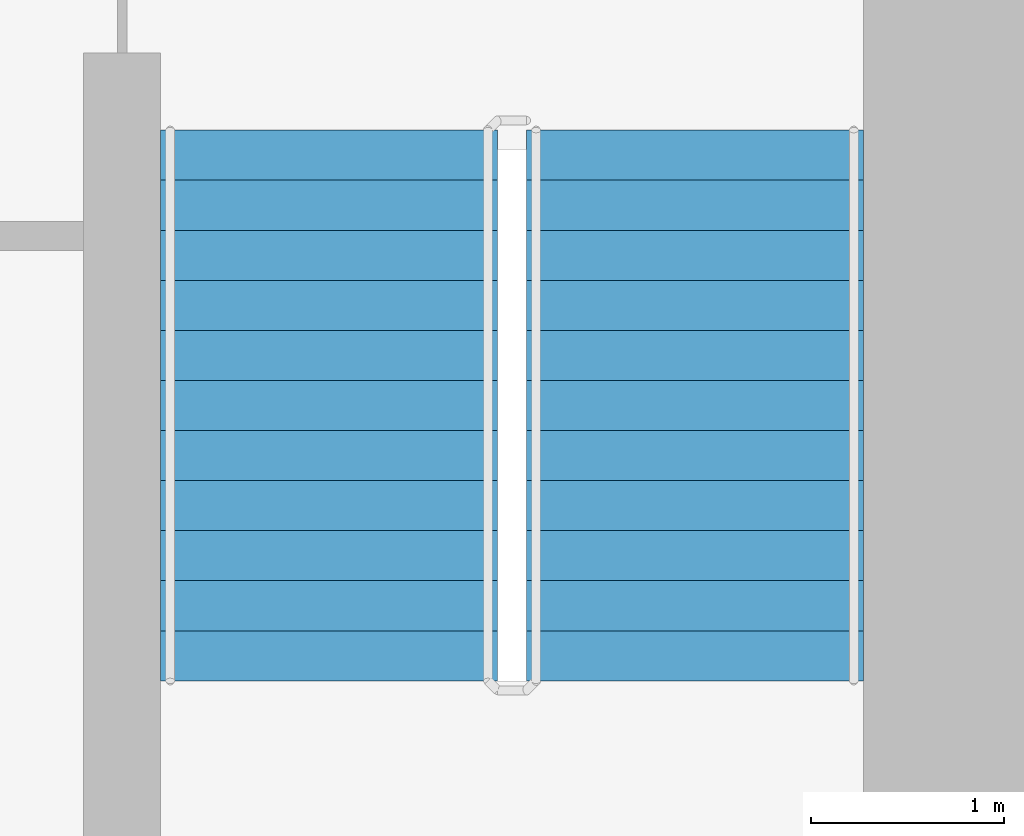
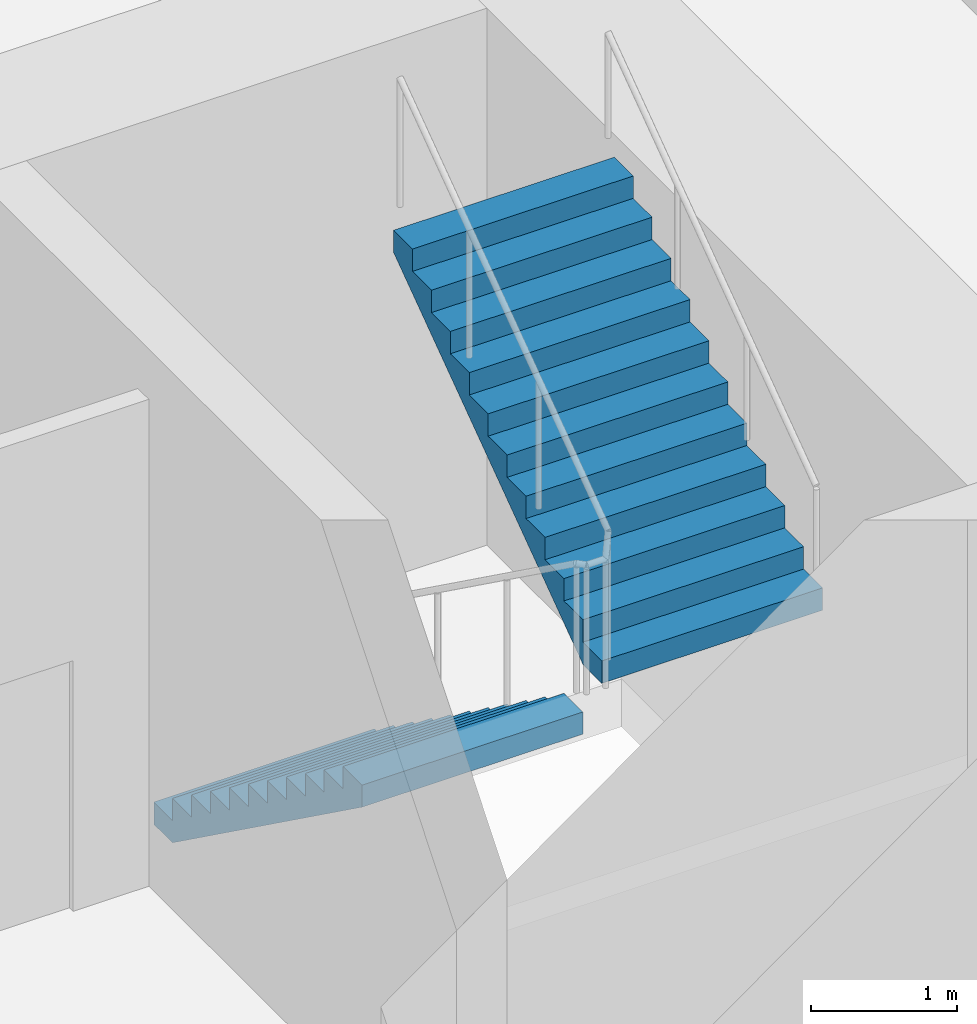
# One storey, part 40 of 51: 2 stair flights, 1 element without a shape of its own.
"""IFC4 building model written with IfcOpenShell, lengths in metres."""

import ifcopenshell
import ifcopenshell.guid

model = None  # the IFC model being written
_history = None  # IfcOwnerHistory: only IFC2X3 demands one
_inside = {}  # id of a spatial element -> (the spatial element, [elements in it])
_under = {}  # id of a project, library or spatial element -> (it, [spatial elements below it])
_declared = {}  # id of a project -> (the project, [libraries it declares])
_typed = {}  # id of a type object -> (the type object, [elements of that type])
_made_of = {}  # id of a material, layer set ... -> (it, [elements and type objects made of it])


def new_model(schema):
    """Start an empty IFC model of exactly this schema.

    Asked for "IFC4X3", IfcOpenShell would pick the latest addendum, in which some entities
    have other attributes; the version numbers below select the first issue.
    IFC2X3 requires an IfcOwnerHistory on every rooted entity: one is made here for all.
    """
    global model, _history
    if schema == "IFC4X3":
        model = ifcopenshell.file(schema_version=(4, 3, 0, 0))
    else:
        model = ifcopenshell.file(schema=schema)
    _inside.clear()
    _under.clear()
    _declared.clear()
    _typed.clear()
    _made_of.clear()
    _history = None
    if model.schema == "IFC2X3":
        org = make("IfcOrganization", Name="unknown")
        user = make(
            "IfcPersonAndOrganization",
            ThePerson=make("IfcPerson", FamilyName="unknown"),
            TheOrganization=org,
        )
        app = make(
            "IfcApplication",
            ApplicationDeveloper=org,
            Version="unknown",
            ApplicationFullName="unknown",
            ApplicationIdentifier="unknown",
        )
        _history = make(
            "IfcOwnerHistory",
            OwningUser=user,
            OwningApplication=app,
            ChangeAction="ADDED",
            CreationDate=0,
        )
    return model


def make(cls, **values):
    """One entity of the class cls with the attributes given. An attribute that is None is left unset."""
    return model.create_entity(
        cls, **{name: value for name, value in values.items() if value is not None}
    )


def rooted(cls, **values):
    """An entity with a GlobalId (a new one), such as an element, a storey or a relation."""
    return make(cls, GlobalId=ifcopenshell.guid.new(), OwnerHistory=_history, **values)


def si_unit(unit_type, name, prefix=None):
    """IfcSIUnit, for example si_unit("LENGTHUNIT", "METRE", prefix="MILLI")."""
    return make("IfcSIUnit", UnitType=unit_type, Prefix=prefix, Name=name)


def assignment(units):
    """IfcUnitAssignment: the units of a project."""
    return None if units is None else make("IfcUnitAssignment", Units=units)


def point(xyz):
    """IfcCartesianPoint."""
    return None if xyz is None else make("IfcCartesianPoint", Coordinates=xyz)


def direction(xyz):
    """IfcDirection."""
    return None if xyz is None else make("IfcDirection", DirectionRatios=xyz)


def frame(location, z_axis=None, x_axis=None):
    """IfcAxis2Placement3D, a coordinate frame: its origin and axes. An axis left out is left unset."""
    return make(
        "IfcAxis2Placement3D",
        Location=point(location),
        Axis=direction(z_axis),
        RefDirection=direction(x_axis),
    )


def origin():
    """The frame at (0, 0, 0) with its axes left unset."""
    return frame((0.0, 0.0, 0.0))


def place(relative_to, where):
    """IfcLocalPlacement: puts the frame where relative to a parent placement (None: the world)."""
    return make(
        "IfcLocalPlacement", PlacementRelTo=relative_to, RelativePlacement=where
    )


def context(
    kind, dimensions, precision=None, world=None, true_north=None, identifier=None
):
    """IfcGeometricRepresentationContext, for example the 3D "Model" context."""
    return make(
        "IfcGeometricRepresentationContext",
        ContextIdentifier=identifier,
        ContextType=kind,
        CoordinateSpaceDimension=dimensions,
        Precision=precision,
        WorldCoordinateSystem=world,
        TrueNorth=true_north,
    )


def subcontext(parent, identifier, kind, view, scale=None):
    """IfcGeometricRepresentationSubContext, for example "Body" below "Model"."""
    return make(
        "IfcGeometricRepresentationSubContext",
        ContextIdentifier=identifier,
        ContextType=kind,
        ParentContext=parent,
        TargetScale=scale,
        TargetView=view,
    )


def project(units=None, contexts=None):
    """IfcProject with its units and contexts."""
    return rooted(
        "IfcProject",
        Name="project",
        RepresentationContexts=contexts,
        UnitsInContext=assignment(units),
    )


def spatial(cls, under=None, at=None, **own):
    """A site, building, storey or space (cls), placed at a placement, below another one or the project."""
    s = rooted(cls, ObjectPlacement=at, **own)
    if under is not None:
        _under.setdefault(under.id(), (under, []))[1].append(s)
    return s


def faces_of(points, faces, orient=None, outer=None):
    """IfcFace entities. A face is a list of loops; a loop is a list of indices into points, from 0.

    orient and outer hold one flag for each loop. By default every Orientation is true, the
    first loop of a face is its IfcFaceOuterBound and the others are IfcFaceBound.
    """
    made = []
    for i, loops in enumerate(faces):
        bounds = []
        for j, loop in enumerate(loops):
            is_outer = j == 0 if outer is None else outer[i][j]
            bounds.append(
                make(
                    "IfcFaceOuterBound" if is_outer else "IfcFaceBound",
                    Bound=make("IfcPolyLoop", Polygon=[points[k] for k in loop]),
                    Orientation=True if orient is None else orient[i][j],
                )
            )
        made.append(make("IfcFace", Bounds=bounds))
    return made


def faceted_brep(points, faces, orient=None, outer=None, voids=None):
    """IfcFacetedBrep: a solid bounded by flat faces; with voids (closed shells), ...WithVoids."""
    shared = [point(p) for p in points]
    hull = make("IfcClosedShell", CfsFaces=faces_of(shared, faces, orient, outer))
    if voids is None:
        return make("IfcFacetedBrep", Outer=hull)
    return make(
        "IfcFacetedBrepWithVoids",
        Outer=hull,
        Voids=[
            make(cls, CfsFaces=faces_of(shared, fs, o, b)) for cls, fs, o, b in voids
        ],
    )


def shape(context_of_items, identifier, shape_type, items):
    """IfcShapeRepresentation: the items that make up one representation, for example the "Body"."""
    return make(
        "IfcShapeRepresentation",
        ContextOfItems=context_of_items,
        RepresentationIdentifier=identifier,
        RepresentationType=shape_type,
        Items=items,
    )


def material(Name=None, Category=None):
    """IfcMaterial."""
    return make("IfcMaterial", Name=Name, Category=Category)


def made_of(thing, what):
    """Note that an element or type object is made of a material, layer set ...; save() writes the relation."""
    if what is not None:
        _made_of.setdefault(what.id(), (what, []))[1].append(thing)
    return thing


def type_object(cls, material=None, **own):
    """A type object (cls), such as IfcWallType, which elements share."""
    return made_of(rooted(cls, **own), material)


def element(
    cls,
    number,
    at=None,
    inside=None,
    cuts=None,
    type_object=None,
    material=None,
    context=None,
    identifier="Body",
    shape_type=None,
    held_by="IfcProductDefinitionShape",
    body=None,
    shapes=None,
    **own,
):
    """One element of the class cls, such as IfcWall. Its Tag is "e" and its number.

    at: its placement. inside: the storey or other place that contains it. cuts: it is an
    opening in that element (IfcRelVoidsElement). A single representation is given by context,
    identifier, shape_type and body (its items); several are given by shapes. held_by: the class
    of the entity that holds the representations. save() writes the other relations.
    """
    e = rooted(cls, Tag="e%d" % number, ObjectPlacement=at, **own)
    if body is not None:
        shapes = [shape(context, identifier, shape_type, body)]
    if shapes is not None:
        e.Representation = make(held_by, Representations=shapes)
    if inside is not None:
        _inside.setdefault(inside.id(), (inside, []))[1].append(e)
    if cuts is not None:
        rooted(
            "IfcRelVoidsElement", RelatingBuildingElement=cuts, RelatedOpeningElement=e
        )
    if type_object is not None:
        _typed.setdefault(type_object.id(), (type_object, []))[1].append(e)
    return made_of(e, material)


def aggregate(whole, parts):
    """IfcRelAggregates: a whole, such as a stair, and the parts it consists of."""
    return rooted("IfcRelAggregates", RelatingObject=whole, RelatedObjects=parts)


def save(model, path):
    """Write the relations noted so far, then the file.

    IfcRelAggregates (storeys below a building ...), IfcRelContainedInSpatialStructure (elements
    in a storey), IfcRelDefinesByType, IfcRelAssociatesMaterial and IfcRelDeclares: one each for
    every whole, place, type object, material and project.
    """
    for whole, parts in _under.values():
        aggregate(whole, parts)
    for where, things in _inside.values():
        rooted(
            "IfcRelContainedInSpatialStructure",
            RelatedElements=things,
            RelatingStructure=where,
        )
    for kind, things in _typed.values():
        rooted("IfcRelDefinesByType", RelatedObjects=things, RelatingType=kind)
    for what, things in _made_of.values():
        rooted("IfcRelAssociatesMaterial", RelatedObjects=things, RelatingMaterial=what)
    for by, libraries in _declared.values():
        rooted("IfcRelDeclares", RelatingContext=by, RelatedDefinitions=libraries)
    model.write(path)


model = new_model("IFC4")

# Units and contexts
model_context = context("Model", 3, precision=1e-05, world=origin(), true_north=direction((0.0, 1.0)))
body_context = subcontext(model_context, "Body", "Model", "MODEL_VIEW")
ifc_project = project(units=[si_unit("LENGTHUNIT", "METRE"), si_unit("AREAUNIT", "SQUARE_METRE"), si_unit("VOLUMEUNIT", "CUBIC_METRE"), si_unit("PLANEANGLEUNIT", "RADIAN"), si_unit("MASSUNIT", "GRAM", prefix="KILO")], contexts=[model_context])

# Site, building, storey
site_placement = place(None, origin())
site = spatial("IfcSite", under=ifc_project, at=site_placement, CompositionType="ELEMENT")
building_placement = place(site_placement, origin())
building = spatial("IfcBuilding", under=site, at=building_placement, Name="Ipe Terrace Towers", CompositionType="ELEMENT")
storey_placement = place(building_placement, frame((0.0, 0.0, 15.5)))
storey = spatial("IfcBuildingStorey", under=building, at=storey_placement, Name="L03", CompositionType="ELEMENT", Elevation=15.5)

# Stair, stair flights
ifc_material_1 = material(Name="Concrete C30/37", Category="concrete")
stair_type = type_object("IfcStairType", Name="Protected exit stair", PredefinedType="HALF_TURN_STAIR", material=ifc_material_1)
stair_placement = place(storey_placement, origin())
stair = element("IfcStair", 1, at=stair_placement, inside=storey, type_object=stair_type, Name="L03 Exit stair T2-C2", PredefinedType="HALF_TURN_STAIR")
ifc_material_2 = material(Name="Concrete C30/37", Category="concrete")
stair_flight_type = type_object("IfcStairFlightType", Name="Exit stair flight 1750", PredefinedType="STRAIGHT", material=ifc_material_2)
stair_flight_1_placement = place(storey_placement, frame((38.77490234375, -9.699951171875, 0.0), z_axis=(0.0, 0.0, 1.0), x_axis=(0.0, -1.0, 0.0)))
stair_flight_1 = element("IfcStairFlight", 2, at=stair_flight_1_placement, type_object=stair_flight_type, Name="T2-ST2 flight 1", NumberOfRisers=12, NumberOfTreads=11, PredefinedType="STRAIGHT", RiserHeight=0.1875, TreadLength=0.26, context=body_context, shape_type="Brep", body=[
    faceted_brep([(0.25634765625, -0.875, 0.0), (2.860107421875, -0.875, 1.877685546875), (2.860107421875, -0.875, 2.0625), (2.60009765625, -0.875, 2.0625), (2.60009765625, -0.875, 1.875), (2.340087890625, -0.875, 1.875), (2.340087890625, -0.875, 1.6875), (2.080078125, -0.875, 1.6875), (2.080078125, -0.875, 1.5), (1.820068359375, -0.875, 1.5), (1.820068359375, -0.875, 1.3125), (1.56005859375, -0.875, 1.3125), (1.56005859375, -0.875, 1.125), (1.300048828125, -0.875, 1.125), (1.300048828125, -0.875, 0.9375), (1.0400390625, -0.875, 0.9375), (1.0400390625, -0.875, 0.75), (0.780029296875, -0.875, 0.75), (0.780029296875, -0.875, 0.5625), (0.52001953125, -0.875, 0.5625), (0.52001953125, -0.875, 0.375), (0.260009765625, -0.875, 0.375), (0.260009765625, -0.875, 0.1875), (0.0, -0.875, 0.1875), (0.0, -0.875, 0.0), (0.0, 0.875, 0.0), (0.0, 0.875, 0.1875), (0.260009765625, 0.875, 0.1875), (0.260009765625, 0.875, 0.375), (0.52001953125, 0.875, 0.375), (0.52001953125, 0.875, 0.5625), (0.780029296875, 0.875, 0.5625), (0.780029296875, 0.875, 0.75), (1.0400390625, 0.875, 0.75), (1.0400390625, 0.875, 0.9375), (1.300048828125, 0.875, 0.9375), (1.300048828125, 0.875, 1.125), (1.56005859375, 0.875, 1.125), (1.56005859375, 0.875, 1.3125), (1.820068359375, 0.875, 1.3125), (1.820068359375, 0.875, 1.5), (2.080078125, 0.875, 1.5), (2.080078125, 0.875, 1.6875), (2.340087890625, 0.875, 1.6875), (2.340087890625, 0.875, 1.875), (2.60009765625, 0.875, 1.875), (2.60009765625, 0.875, 2.0625), (2.860107421875, 0.875, 2.0625), (2.860107421875, 0.875, 1.877685546875), (0.25634765625, 0.875, 0.0), (0.0, -0.300048828125, 0.1875), (0.0, -0.1201171875, 0.1875), (0.0, -0.06005859375, 0.1875), (0.0, -0.030029296875, 0.1875), (0.0, -0.010009765625, 0.1875), (0.0, 0.0, 0.1875), (0.0, 0.010009765625, 0.1875), (0.0, 0.030029296875, 0.1875), (0.0, 0.06005859375, 0.1875), (0.0, 0.1201171875, 0.1875), (0.0, 0.300048828125, 0.1875), (0.0, 0.300048828125, 0.0), (0.0, 0.1201171875, 0.0), (0.0, 0.06005859375, 0.0), (0.0, 0.030029296875, 0.0), (0.0, 0.010009765625, 0.0), (0.0, 0.0, 0.0), (0.0, -0.010009765625, 0.0), (0.0, -0.030029296875, 0.0), (0.0, -0.06005859375, 0.0), (0.0, -0.1201171875, 0.0), (0.0, -0.300048828125, 0.0), (0.260009765625, -0.300048828125, 0.1875), (0.260009765625, -0.1201171875, 0.1875), (0.260009765625, -0.06005859375, 0.1875), (0.260009765625, -0.030029296875, 0.1875), (0.260009765625, -0.010009765625, 0.1875), (0.260009765625, 0.0, 0.1875), (0.260009765625, 0.010009765625, 0.1875), (0.260009765625, 0.030029296875, 0.1875), (0.260009765625, 0.06005859375, 0.1875), (0.260009765625, 0.1201171875, 0.1875), (0.260009765625, 0.300048828125, 0.1875), (0.260009765625, -0.300048828125, 0.375), (0.260009765625, -0.1201171875, 0.375), (0.260009765625, -0.06005859375, 0.375), (0.260009765625, -0.030029296875, 0.375), (0.260009765625, -0.010009765625, 0.375), (0.260009765625, 0.0, 0.375), (0.260009765625, 0.010009765625, 0.375), (0.260009765625, 0.030029296875, 0.375), (0.260009765625, 0.06005859375, 0.375), (0.260009765625, 0.1201171875, 0.375), (0.260009765625, 0.300048828125, 0.375), (0.52001953125, -0.300048828125, 0.375), (0.52001953125, -0.1201171875, 0.375), (0.52001953125, -0.06005859375, 0.375), (0.52001953125, -0.030029296875, 0.375), (0.52001953125, -0.010009765625, 0.375), (0.52001953125, 0.0, 0.375), (0.52001953125, 0.010009765625, 0.375), (0.52001953125, 0.030029296875, 0.375), (0.52001953125, 0.06005859375, 0.375), (0.52001953125, 0.1201171875, 0.375), (0.52001953125, 0.300048828125, 0.375), (0.52001953125, -0.300048828125, 0.5625), (0.52001953125, -0.1201171875, 0.5625), (0.52001953125, -0.06005859375, 0.5625), (0.52001953125, -0.030029296875, 0.5625), (0.52001953125, -0.010009765625, 0.5625), (0.52001953125, 0.0, 0.5625), (0.52001953125, 0.010009765625, 0.5625), (0.52001953125, 0.030029296875, 0.5625), (0.52001953125, 0.06005859375, 0.5625), (0.52001953125, 0.1201171875, 0.5625), (0.52001953125, 0.300048828125, 0.5625), (0.780029296875, -0.300048828125, 0.5625), (0.780029296875, -0.1201171875, 0.5625), (0.780029296875, -0.06005859375, 0.5625), (0.780029296875, -0.030029296875, 0.5625), (0.780029296875, -0.010009765625, 0.5625), (0.780029296875, 0.0, 0.5625), (0.780029296875, 0.010009765625, 0.5625), (0.780029296875, 0.030029296875, 0.5625), (0.780029296875, 0.06005859375, 0.5625), (0.780029296875, 0.1201171875, 0.5625), (0.780029296875, 0.300048828125, 0.5625), (0.780029296875, -0.300048828125, 0.75), (0.780029296875, -0.1201171875, 0.75), (0.780029296875, -0.06005859375, 0.75), (0.780029296875, -0.030029296875, 0.75), (0.780029296875, -0.010009765625, 0.75), (0.780029296875, 0.0, 0.75), (0.780029296875, 0.010009765625, 0.75), (0.780029296875, 0.030029296875, 0.75), (0.780029296875, 0.06005859375, 0.75), (0.780029296875, 0.1201171875, 0.75), (0.780029296875, 0.300048828125, 0.75), (1.0400390625, -0.300048828125, 0.75), (1.0400390625, -0.1201171875, 0.75), (1.0400390625, -0.06005859375, 0.75), (1.0400390625, -0.030029296875, 0.75), (1.0400390625, -0.010009765625, 0.75), (1.0400390625, 0.0, 0.75), (1.0400390625, 0.010009765625, 0.75), (1.0400390625, 0.030029296875, 0.75), (1.0400390625, 0.06005859375, 0.75), (1.0400390625, 0.1201171875, 0.75), (1.0400390625, 0.300048828125, 0.75), (1.0400390625, -0.300048828125, 0.9375), (1.0400390625, -0.1201171875, 0.9375), (1.0400390625, -0.06005859375, 0.9375), (1.0400390625, -0.030029296875, 0.9375), (1.0400390625, -0.010009765625, 0.9375), (1.0400390625, 0.0, 0.9375), (1.0400390625, 0.010009765625, 0.9375), (1.0400390625, 0.030029296875, 0.9375), (1.0400390625, 0.06005859375, 0.9375), (1.0400390625, 0.1201171875, 0.9375), (1.0400390625, 0.300048828125, 0.9375), (1.300048828125, -0.300048828125, 0.9375), (1.300048828125, -0.1201171875, 0.9375), (1.300048828125, -0.06005859375, 0.9375), (1.300048828125, -0.030029296875, 0.9375), (1.300048828125, -0.010009765625, 0.9375), (1.300048828125, 0.0, 0.9375), (1.300048828125, 0.010009765625, 0.9375), (1.300048828125, 0.030029296875, 0.9375), (1.300048828125, 0.06005859375, 0.9375), (1.300048828125, 0.1201171875, 0.9375), (1.300048828125, 0.300048828125, 0.9375), (1.300048828125, -0.300048828125, 1.125), (1.300048828125, -0.1201171875, 1.125), (1.300048828125, -0.06005859375, 1.125), (1.300048828125, -0.030029296875, 1.125), (1.300048828125, -0.010009765625, 1.125), (1.300048828125, 0.0, 1.125), (1.300048828125, 0.010009765625, 1.125), (1.300048828125, 0.030029296875, 1.125), (1.300048828125, 0.06005859375, 1.125), (1.300048828125, 0.1201171875, 1.125), (1.300048828125, 0.300048828125, 1.125), (1.56005859375, -0.300048828125, 1.125), (1.56005859375, -0.1201171875, 1.125), (1.56005859375, -0.06005859375, 1.125), (1.56005859375, -0.030029296875, 1.125), (1.56005859375, -0.010009765625, 1.125), (1.56005859375, 0.0, 1.125), (1.56005859375, 0.010009765625, 1.125), (1.56005859375, 0.030029296875, 1.125), (1.56005859375, 0.06005859375, 1.125), (1.56005859375, 0.1201171875, 1.125), (1.56005859375, 0.300048828125, 1.125), (1.56005859375, -0.300048828125, 1.3125), (1.56005859375, -0.1201171875, 1.3125), (1.56005859375, -0.06005859375, 1.3125), (1.56005859375, -0.030029296875, 1.3125), (1.56005859375, -0.010009765625, 1.3125), (1.56005859375, 0.0, 1.3125), (1.56005859375, 0.010009765625, 1.3125), (1.56005859375, 0.030029296875, 1.3125), (1.56005859375, 0.06005859375, 1.3125), (1.56005859375, 0.1201171875, 1.3125), (1.56005859375, 0.300048828125, 1.3125), (1.820068359375, -0.300048828125, 1.3125), (1.820068359375, -0.1201171875, 1.3125), (1.820068359375, -0.06005859375, 1.3125), (1.820068359375, -0.030029296875, 1.3125), (1.820068359375, -0.010009765625, 1.3125), (1.820068359375, 0.0, 1.3125), (1.820068359375, 0.010009765625, 1.3125), (1.820068359375, 0.030029296875, 1.3125), (1.820068359375, 0.06005859375, 1.3125), (1.820068359375, 0.1201171875, 1.3125), (1.820068359375, 0.300048828125, 1.3125), (1.820068359375, -0.300048828125, 1.5), (1.820068359375, -0.1201171875, 1.5), (1.820068359375, -0.06005859375, 1.5), (1.820068359375, -0.030029296875, 1.5), (1.820068359375, -0.010009765625, 1.5), (1.820068359375, 0.0, 1.5), (1.820068359375, 0.010009765625, 1.5), (1.820068359375, 0.030029296875, 1.5), (1.820068359375, 0.06005859375, 1.5), (1.820068359375, 0.1201171875, 1.5), (1.820068359375, 0.300048828125, 1.5), (2.080078125, -0.300048828125, 1.5), (2.080078125, -0.1201171875, 1.5), (2.080078125, -0.06005859375, 1.5), (2.080078125, -0.030029296875, 1.5), (2.080078125, -0.010009765625, 1.5), (2.080078125, 0.0, 1.5), (2.080078125, 0.010009765625, 1.5), (2.080078125, 0.030029296875, 1.5), (2.080078125, 0.06005859375, 1.5), (2.080078125, 0.1201171875, 1.5), (2.080078125, 0.300048828125, 1.5), (2.080078125, -0.300048828125, 1.6875), (2.080078125, -0.1201171875, 1.6875), (2.080078125, -0.06005859375, 1.6875), (2.080078125, -0.030029296875, 1.6875), (2.080078125, -0.010009765625, 1.6875), (2.080078125, 0.0, 1.6875), (2.080078125, 0.010009765625, 1.6875), (2.080078125, 0.030029296875, 1.6875), (2.080078125, 0.06005859375, 1.6875), (2.080078125, 0.1201171875, 1.6875), (2.080078125, 0.300048828125, 1.6875), (2.340087890625, -0.300048828125, 1.6875), (2.340087890625, -0.1201171875, 1.6875), (2.340087890625, -0.06005859375, 1.6875), (2.340087890625, -0.030029296875, 1.6875), (2.340087890625, -0.010009765625, 1.6875), (2.340087890625, 0.0, 1.6875), (2.340087890625, 0.010009765625, 1.6875), (2.340087890625, 0.030029296875, 1.6875), (2.340087890625, 0.06005859375, 1.6875), (2.340087890625, 0.1201171875, 1.6875), (2.340087890625, 0.300048828125, 1.6875), (2.340087890625, -0.300048828125, 1.875), (2.340087890625, -0.1201171875, 1.875), (2.340087890625, -0.06005859375, 1.875), (2.340087890625, -0.030029296875, 1.875), (2.340087890625, -0.010009765625, 1.875), (2.340087890625, 0.0, 1.875), (2.340087890625, 0.010009765625, 1.875), (2.340087890625, 0.030029296875, 1.875), (2.340087890625, 0.06005859375, 1.875), (2.340087890625, 0.1201171875, 1.875), (2.340087890625, 0.300048828125, 1.875), (2.60009765625, -0.300048828125, 1.875), (2.60009765625, -0.1201171875, 1.875), (2.60009765625, -0.06005859375, 1.875), (2.60009765625, -0.030029296875, 1.875), (2.60009765625, -0.010009765625, 1.875), (2.60009765625, 0.0, 1.875), (2.60009765625, 0.010009765625, 1.875), (2.60009765625, 0.030029296875, 1.875), (2.60009765625, 0.06005859375, 1.875), (2.60009765625, 0.1201171875, 1.875), (2.60009765625, 0.300048828125, 1.875), (2.60009765625, -0.300048828125, 2.0625), (2.60009765625, -0.1201171875, 2.0625), (2.60009765625, -0.06005859375, 2.0625), (2.60009765625, -0.030029296875, 2.0625), (2.60009765625, -0.010009765625, 2.0625), (2.60009765625, 0.0, 2.0625), (2.60009765625, 0.010009765625, 2.0625), (2.60009765625, 0.030029296875, 2.0625), (2.60009765625, 0.06005859375, 2.0625), (2.60009765625, 0.1201171875, 2.0625), (2.60009765625, 0.300048828125, 2.0625), (2.860107421875, -0.300048828125, 2.0625), (2.860107421875, -0.1201171875, 2.0625), (2.860107421875, -0.06005859375, 2.0625), (2.860107421875, -0.030029296875, 2.0625), (2.860107421875, -0.010009765625, 2.0625), (2.860107421875, 0.0, 2.0625), (2.860107421875, 0.010009765625, 2.0625), (2.860107421875, 0.030029296875, 2.0625), (2.860107421875, 0.06005859375, 2.0625), (2.860107421875, 0.1201171875, 2.0625), (2.860107421875, 0.300048828125, 2.0625), (2.860107421875, -0.300048828125, 1.877685546875), (2.860107421875, -0.1201171875, 1.877685546875), (2.860107421875, -0.06005859375, 1.877685546875), (2.860107421875, -0.030029296875, 1.877685546875), (2.860107421875, -0.010009765625, 1.877685546875), (2.860107421875, 0.0, 1.877685546875), (2.860107421875, 0.010009765625, 1.877685546875), (2.860107421875, 0.030029296875, 1.877685546875), (2.860107421875, 0.06005859375, 1.877685546875), (2.860107421875, 0.1201171875, 1.877685546875), (2.860107421875, 0.300048828125, 1.877685546875), (0.25634765625, -0.300048828125, 0.0), (0.25634765625, -0.1201171875, 0.0), (0.25634765625, -0.06005859375, 0.0), (0.25634765625, -0.030029296875, 0.0), (0.25634765625, -0.010009765625, 0.0), (0.25634765625, 0.0, 0.0), (0.25634765625, 0.010009765625, 0.0), (0.25634765625, 0.030029296875, 0.0), (0.25634765625, 0.06005859375, 0.0), (0.25634765625, 0.1201171875, 0.0), (0.25634765625, 0.300048828125, 0.0)], [[[0, 1, 2, 3, 4, 5, 6, 7, 8, 9, 10, 11, 12, 13, 14, 15, 16, 17, 18, 19, 20, 21, 22, 23, 24]], [[25, 26, 27, 28, 29, 30, 31, 32, 33, 34, 35, 36, 37, 38, 39, 40, 41, 42, 43, 44, 45, 46, 47, 48, 49]], [[23, 50, 51, 52, 53, 54, 55, 56, 57, 58, 59, 60, 26, 25, 61, 62, 63, 64, 65, 66, 67, 68, 69, 70, 71, 24]], [[22, 72, 73, 74, 75, 76, 77, 78, 79, 80, 81, 82, 27, 26, 60, 59, 58, 57, 56, 55, 54, 53, 52, 51, 50, 23]], [[21, 83, 84, 85, 86, 87, 88, 89, 90, 91, 92, 93, 28, 27, 82, 81, 80, 79, 78, 77, 76, 75, 74, 73, 72, 22]], [[20, 94, 95, 96, 97, 98, 99, 100, 101, 102, 103, 104, 29, 28, 93, 92, 91, 90, 89, 88, 87, 86, 85, 84, 83, 21]], [[19, 105, 106, 107, 108, 109, 110, 111, 112, 113, 114, 115, 30, 29, 104, 103, 102, 101, 100, 99, 98, 97, 96, 95, 94, 20]], [[18, 116, 117, 118, 119, 120, 121, 122, 123, 124, 125, 126, 31, 30, 115, 114, 113, 112, 111, 110, 109, 108, 107, 106, 105, 19]], [[17, 127, 128, 129, 130, 131, 132, 133, 134, 135, 136, 137, 32, 31, 126, 125, 124, 123, 122, 121, 120, 119, 118, 117, 116, 18]], [[16, 138, 139, 140, 141, 142, 143, 144, 145, 146, 147, 148, 33, 32, 137, 136, 135, 134, 133, 132, 131, 130, 129, 128, 127, 17]], [[15, 149, 150, 151, 152, 153, 154, 155, 156, 157, 158, 159, 34, 33, 148, 147, 146, 145, 144, 143, 142, 141, 140, 139, 138, 16]], [[14, 160, 161, 162, 163, 164, 165, 166, 167, 168, 169, 170, 35, 34, 159, 158, 157, 156, 155, 154, 153, 152, 151, 150, 149, 15]], [[13, 171, 172, 173, 174, 175, 176, 177, 178, 179, 180, 181, 36, 35, 170, 169, 168, 167, 166, 165, 164, 163, 162, 161, 160, 14]], [[12, 182, 183, 184, 185, 186, 187, 188, 189, 190, 191, 192, 37, 36, 181, 180, 179, 178, 177, 176, 175, 174, 173, 172, 171, 13]], [[11, 193, 194, 195, 196, 197, 198, 199, 200, 201, 202, 203, 38, 37, 192, 191, 190, 189, 188, 187, 186, 185, 184, 183, 182, 12]], [[10, 204, 205, 206, 207, 208, 209, 210, 211, 212, 213, 214, 39, 38, 203, 202, 201, 200, 199, 198, 197, 196, 195, 194, 193, 11]], [[9, 215, 216, 217, 218, 219, 220, 221, 222, 223, 224, 225, 40, 39, 214, 213, 212, 211, 210, 209, 208, 207, 206, 205, 204, 10]], [[8, 226, 227, 228, 229, 230, 231, 232, 233, 234, 235, 236, 41, 40, 225, 224, 223, 222, 221, 220, 219, 218, 217, 216, 215, 9]], [[7, 237, 238, 239, 240, 241, 242, 243, 244, 245, 246, 247, 42, 41, 236, 235, 234, 233, 232, 231, 230, 229, 228, 227, 226, 8]], [[6, 248, 249, 250, 251, 252, 253, 254, 255, 256, 257, 258, 43, 42, 247, 246, 245, 244, 243, 242, 241, 240, 239, 238, 237, 7]], [[5, 259, 260, 261, 262, 263, 264, 265, 266, 267, 268, 269, 44, 43, 258, 257, 256, 255, 254, 253, 252, 251, 250, 249, 248, 6]], [[4, 270, 271, 272, 273, 274, 275, 276, 277, 278, 279, 280, 45, 44, 269, 268, 267, 266, 265, 264, 263, 262, 261, 260, 259, 5]], [[3, 281, 282, 283, 284, 285, 286, 287, 288, 289, 290, 291, 46, 45, 280, 279, 278, 277, 276, 275, 274, 273, 272, 271, 270, 4]], [[2, 292, 293, 294, 295, 296, 297, 298, 299, 300, 301, 302, 47, 46, 291, 290, 289, 288, 287, 286, 285, 284, 283, 282, 281, 3]], [[1, 303, 304, 305, 306, 307, 308, 309, 310, 311, 312, 313, 48, 47, 302, 301, 300, 299, 298, 297, 296, 295, 294, 293, 292, 2]], [[0, 314, 315, 316, 317, 318, 319, 320, 321, 322, 323, 324, 49, 48, 313, 312, 311, 310, 309, 308, 307, 306, 305, 304, 303, 1]], [[24, 71, 70, 69, 68, 67, 66, 65, 64, 63, 62, 61, 25, 49, 324, 323, 322, 321, 320, 319, 318, 317, 316, 315, 314, 0]]]),
])
stair_flight_2_placement = place(storey_placement, frame((40.675048828125, -12.56005859375, 2.25), z_axis=(0.0, 0.0, 1.0), x_axis=(0.0, 1.0, 0.0)))
stair_flight_2 = element("IfcStairFlight", 3, at=stair_flight_2_placement, type_object=stair_flight_type, Name="T2-ST2 flight 2", NumberOfRisers=12, NumberOfTreads=11, PredefinedType="STRAIGHT", RiserHeight=0.1875, TreadLength=0.26, context=body_context, shape_type="Brep", body=[
    faceted_brep([(0.25634765625, -0.875, 0.0), (2.860107421875, -0.875, 1.877685546875), (2.860107421875, -0.875, 2.0625), (2.60009765625, -0.875, 2.0625), (2.60009765625, -0.875, 1.875), (2.340087890625, -0.875, 1.875), (2.340087890625, -0.875, 1.6875), (2.080078125, -0.875, 1.6875), (2.080078125, -0.875, 1.5), (1.820068359375, -0.875, 1.5), (1.820068359375, -0.875, 1.3125), (1.56005859375, -0.875, 1.3125), (1.56005859375, -0.875, 1.125), (1.300048828125, -0.875, 1.125), (1.300048828125, -0.875, 0.9375), (1.0400390625, -0.875, 0.9375), (1.0400390625, -0.875, 0.75), (0.780029296875, -0.875, 0.75), (0.780029296875, -0.875, 0.5625), (0.52001953125, -0.875, 0.5625), (0.52001953125, -0.875, 0.375), (0.260009765625, -0.875, 0.375), (0.260009765625, -0.875, 0.1875), (0.0, -0.875, 0.1875), (0.0, -0.875, 0.0), (0.0, 0.875, 0.0), (0.0, 0.875, 0.1875), (0.260009765625, 0.875, 0.1875), (0.260009765625, 0.875, 0.375), (0.52001953125, 0.875, 0.375), (0.52001953125, 0.875, 0.5625), (0.780029296875, 0.875, 0.5625), (0.780029296875, 0.875, 0.75), (1.0400390625, 0.875, 0.75), (1.0400390625, 0.875, 0.9375), (1.300048828125, 0.875, 0.9375), (1.300048828125, 0.875, 1.125), (1.56005859375, 0.875, 1.125), (1.56005859375, 0.875, 1.3125), (1.820068359375, 0.875, 1.3125), (1.820068359375, 0.875, 1.5), (2.080078125, 0.875, 1.5), (2.080078125, 0.875, 1.6875), (2.340087890625, 0.875, 1.6875), (2.340087890625, 0.875, 1.875), (2.60009765625, 0.875, 1.875), (2.60009765625, 0.875, 2.0625), (2.860107421875, 0.875, 2.0625), (2.860107421875, 0.875, 1.877685546875), (0.25634765625, 0.875, 0.0), (0.0, -0.300048828125, 0.1875), (0.0, -0.1201171875, 0.1875), (0.0, -0.06005859375, 0.1875), (0.0, -0.030029296875, 0.1875), (0.0, -0.010009765625, 0.1875), (0.0, 0.0, 0.1875), (0.0, 0.010009765625, 0.1875), (0.0, 0.030029296875, 0.1875), (0.0, 0.06005859375, 0.1875), (0.0, 0.1201171875, 0.1875), (0.0, 0.300048828125, 0.1875), (0.0, 0.300048828125, 0.0), (0.0, 0.1201171875, 0.0), (0.0, 0.06005859375, 0.0), (0.0, 0.030029296875, 0.0), (0.0, 0.010009765625, 0.0), (0.0, 0.0, 0.0), (0.0, -0.010009765625, 0.0), (0.0, -0.030029296875, 0.0), (0.0, -0.06005859375, 0.0), (0.0, -0.1201171875, 0.0), (0.0, -0.300048828125, 0.0), (0.260009765625, -0.300048828125, 0.1875), (0.260009765625, -0.1201171875, 0.1875), (0.260009765625, -0.06005859375, 0.1875), (0.260009765625, -0.030029296875, 0.1875), (0.260009765625, -0.010009765625, 0.1875), (0.260009765625, 0.0, 0.1875), (0.260009765625, 0.010009765625, 0.1875), (0.260009765625, 0.030029296875, 0.1875), (0.260009765625, 0.06005859375, 0.1875), (0.260009765625, 0.1201171875, 0.1875), (0.260009765625, 0.300048828125, 0.1875), (0.260009765625, -0.300048828125, 0.375), (0.260009765625, -0.1201171875, 0.375), (0.260009765625, -0.06005859375, 0.375), (0.260009765625, -0.030029296875, 0.375), (0.260009765625, -0.010009765625, 0.375), (0.260009765625, 0.0, 0.375), (0.260009765625, 0.010009765625, 0.375), (0.260009765625, 0.030029296875, 0.375), (0.260009765625, 0.06005859375, 0.375), (0.260009765625, 0.1201171875, 0.375), (0.260009765625, 0.300048828125, 0.375), (0.52001953125, -0.300048828125, 0.375), (0.52001953125, -0.1201171875, 0.375), (0.52001953125, -0.06005859375, 0.375), (0.52001953125, -0.030029296875, 0.375), (0.52001953125, -0.010009765625, 0.375), (0.52001953125, 0.0, 0.375), (0.52001953125, 0.010009765625, 0.375), (0.52001953125, 0.030029296875, 0.375), (0.52001953125, 0.06005859375, 0.375), (0.52001953125, 0.1201171875, 0.375), (0.52001953125, 0.300048828125, 0.375), (0.52001953125, -0.300048828125, 0.5625), (0.52001953125, -0.1201171875, 0.5625), (0.52001953125, -0.06005859375, 0.5625), (0.52001953125, -0.030029296875, 0.5625), (0.52001953125, -0.010009765625, 0.5625), (0.52001953125, 0.0, 0.5625), (0.52001953125, 0.010009765625, 0.5625), (0.52001953125, 0.030029296875, 0.5625), (0.52001953125, 0.06005859375, 0.5625), (0.52001953125, 0.1201171875, 0.5625), (0.52001953125, 0.300048828125, 0.5625), (0.780029296875, -0.300048828125, 0.5625), (0.780029296875, -0.1201171875, 0.5625), (0.780029296875, -0.06005859375, 0.5625), (0.780029296875, -0.030029296875, 0.5625), (0.780029296875, -0.010009765625, 0.5625), (0.780029296875, 0.0, 0.5625), (0.780029296875, 0.010009765625, 0.5625), (0.780029296875, 0.030029296875, 0.5625), (0.780029296875, 0.06005859375, 0.5625), (0.780029296875, 0.1201171875, 0.5625), (0.780029296875, 0.300048828125, 0.5625), (0.780029296875, -0.300048828125, 0.75), (0.780029296875, -0.1201171875, 0.75), (0.780029296875, -0.06005859375, 0.75), (0.780029296875, -0.030029296875, 0.75), (0.780029296875, -0.010009765625, 0.75), (0.780029296875, 0.0, 0.75), (0.780029296875, 0.010009765625, 0.75), (0.780029296875, 0.030029296875, 0.75), (0.780029296875, 0.06005859375, 0.75), (0.780029296875, 0.1201171875, 0.75), (0.780029296875, 0.300048828125, 0.75), (1.0400390625, -0.300048828125, 0.75), (1.0400390625, -0.1201171875, 0.75), (1.0400390625, -0.06005859375, 0.75), (1.0400390625, -0.030029296875, 0.75), (1.0400390625, -0.010009765625, 0.75), (1.0400390625, 0.0, 0.75), (1.0400390625, 0.010009765625, 0.75), (1.0400390625, 0.030029296875, 0.75), (1.0400390625, 0.06005859375, 0.75), (1.0400390625, 0.1201171875, 0.75), (1.0400390625, 0.300048828125, 0.75), (1.0400390625, -0.300048828125, 0.9375), (1.0400390625, -0.1201171875, 0.9375), (1.0400390625, -0.06005859375, 0.9375), (1.0400390625, -0.030029296875, 0.9375), (1.0400390625, -0.010009765625, 0.9375), (1.0400390625, 0.0, 0.9375), (1.0400390625, 0.010009765625, 0.9375), (1.0400390625, 0.030029296875, 0.9375), (1.0400390625, 0.06005859375, 0.9375), (1.0400390625, 0.1201171875, 0.9375), (1.0400390625, 0.300048828125, 0.9375), (1.300048828125, -0.300048828125, 0.9375), (1.300048828125, -0.1201171875, 0.9375), (1.300048828125, -0.06005859375, 0.9375), (1.300048828125, -0.030029296875, 0.9375), (1.300048828125, -0.010009765625, 0.9375), (1.300048828125, 0.0, 0.9375), (1.300048828125, 0.010009765625, 0.9375), (1.300048828125, 0.030029296875, 0.9375), (1.300048828125, 0.06005859375, 0.9375), (1.300048828125, 0.1201171875, 0.9375), (1.300048828125, 0.300048828125, 0.9375), (1.300048828125, -0.300048828125, 1.125), (1.300048828125, -0.1201171875, 1.125), (1.300048828125, -0.06005859375, 1.125), (1.300048828125, -0.030029296875, 1.125), (1.300048828125, -0.010009765625, 1.125), (1.300048828125, 0.0, 1.125), (1.300048828125, 0.010009765625, 1.125), (1.300048828125, 0.030029296875, 1.125), (1.300048828125, 0.06005859375, 1.125), (1.300048828125, 0.1201171875, 1.125), (1.300048828125, 0.300048828125, 1.125), (1.56005859375, -0.300048828125, 1.125), (1.56005859375, -0.1201171875, 1.125), (1.56005859375, -0.06005859375, 1.125), (1.56005859375, -0.030029296875, 1.125), (1.56005859375, -0.010009765625, 1.125), (1.56005859375, 0.0, 1.125), (1.56005859375, 0.010009765625, 1.125), (1.56005859375, 0.030029296875, 1.125), (1.56005859375, 0.06005859375, 1.125), (1.56005859375, 0.1201171875, 1.125), (1.56005859375, 0.300048828125, 1.125), (1.56005859375, -0.300048828125, 1.3125), (1.56005859375, -0.1201171875, 1.3125), (1.56005859375, -0.06005859375, 1.3125), (1.56005859375, -0.030029296875, 1.3125), (1.56005859375, -0.010009765625, 1.3125), (1.56005859375, 0.0, 1.3125), (1.56005859375, 0.010009765625, 1.3125), (1.56005859375, 0.030029296875, 1.3125), (1.56005859375, 0.06005859375, 1.3125), (1.56005859375, 0.1201171875, 1.3125), (1.56005859375, 0.300048828125, 1.3125), (1.820068359375, -0.300048828125, 1.3125), (1.820068359375, -0.1201171875, 1.3125), (1.820068359375, -0.06005859375, 1.3125), (1.820068359375, -0.030029296875, 1.3125), (1.820068359375, -0.010009765625, 1.3125), (1.820068359375, 0.0, 1.3125), (1.820068359375, 0.010009765625, 1.3125), (1.820068359375, 0.030029296875, 1.3125), (1.820068359375, 0.06005859375, 1.3125), (1.820068359375, 0.1201171875, 1.3125), (1.820068359375, 0.300048828125, 1.3125), (1.820068359375, -0.300048828125, 1.5), (1.820068359375, -0.1201171875, 1.5), (1.820068359375, -0.06005859375, 1.5), (1.820068359375, -0.030029296875, 1.5), (1.820068359375, -0.010009765625, 1.5), (1.820068359375, 0.0, 1.5), (1.820068359375, 0.010009765625, 1.5), (1.820068359375, 0.030029296875, 1.5), (1.820068359375, 0.06005859375, 1.5), (1.820068359375, 0.1201171875, 1.5), (1.820068359375, 0.300048828125, 1.5), (2.080078125, -0.300048828125, 1.5), (2.080078125, -0.1201171875, 1.5), (2.080078125, -0.06005859375, 1.5), (2.080078125, -0.030029296875, 1.5), (2.080078125, -0.010009765625, 1.5), (2.080078125, 0.0, 1.5), (2.080078125, 0.010009765625, 1.5), (2.080078125, 0.030029296875, 1.5), (2.080078125, 0.06005859375, 1.5), (2.080078125, 0.1201171875, 1.5), (2.080078125, 0.300048828125, 1.5), (2.080078125, -0.300048828125, 1.6875), (2.080078125, -0.1201171875, 1.6875), (2.080078125, -0.06005859375, 1.6875), (2.080078125, -0.030029296875, 1.6875), (2.080078125, -0.010009765625, 1.6875), (2.080078125, 0.0, 1.6875), (2.080078125, 0.010009765625, 1.6875), (2.080078125, 0.030029296875, 1.6875), (2.080078125, 0.06005859375, 1.6875), (2.080078125, 0.1201171875, 1.6875), (2.080078125, 0.300048828125, 1.6875), (2.340087890625, -0.300048828125, 1.6875), (2.340087890625, -0.1201171875, 1.6875), (2.340087890625, -0.06005859375, 1.6875), (2.340087890625, -0.030029296875, 1.6875), (2.340087890625, -0.010009765625, 1.6875), (2.340087890625, 0.0, 1.6875), (2.340087890625, 0.010009765625, 1.6875), (2.340087890625, 0.030029296875, 1.6875), (2.340087890625, 0.06005859375, 1.6875), (2.340087890625, 0.1201171875, 1.6875), (2.340087890625, 0.300048828125, 1.6875), (2.340087890625, -0.300048828125, 1.875), (2.340087890625, -0.1201171875, 1.875), (2.340087890625, -0.06005859375, 1.875), (2.340087890625, -0.030029296875, 1.875), (2.340087890625, -0.010009765625, 1.875), (2.340087890625, 0.0, 1.875), (2.340087890625, 0.010009765625, 1.875), (2.340087890625, 0.030029296875, 1.875), (2.340087890625, 0.06005859375, 1.875), (2.340087890625, 0.1201171875, 1.875), (2.340087890625, 0.300048828125, 1.875), (2.60009765625, -0.300048828125, 1.875), (2.60009765625, -0.1201171875, 1.875), (2.60009765625, -0.06005859375, 1.875), (2.60009765625, -0.030029296875, 1.875), (2.60009765625, -0.010009765625, 1.875), (2.60009765625, 0.0, 1.875), (2.60009765625, 0.010009765625, 1.875), (2.60009765625, 0.030029296875, 1.875), (2.60009765625, 0.06005859375, 1.875), (2.60009765625, 0.1201171875, 1.875), (2.60009765625, 0.300048828125, 1.875), (2.60009765625, -0.300048828125, 2.0625), (2.60009765625, -0.1201171875, 2.0625), (2.60009765625, -0.06005859375, 2.0625), (2.60009765625, -0.030029296875, 2.0625), (2.60009765625, -0.010009765625, 2.0625), (2.60009765625, 0.0, 2.0625), (2.60009765625, 0.010009765625, 2.0625), (2.60009765625, 0.030029296875, 2.0625), (2.60009765625, 0.06005859375, 2.0625), (2.60009765625, 0.1201171875, 2.0625), (2.60009765625, 0.300048828125, 2.0625), (2.860107421875, -0.300048828125, 2.0625), (2.860107421875, -0.1201171875, 2.0625), (2.860107421875, -0.06005859375, 2.0625), (2.860107421875, -0.030029296875, 2.0625), (2.860107421875, -0.010009765625, 2.0625), (2.860107421875, 0.0, 2.0625), (2.860107421875, 0.010009765625, 2.0625), (2.860107421875, 0.030029296875, 2.0625), (2.860107421875, 0.06005859375, 2.0625), (2.860107421875, 0.1201171875, 2.0625), (2.860107421875, 0.300048828125, 2.0625), (2.860107421875, -0.300048828125, 1.877685546875), (2.860107421875, -0.1201171875, 1.877685546875), (2.860107421875, -0.06005859375, 1.877685546875), (2.860107421875, -0.030029296875, 1.877685546875), (2.860107421875, -0.010009765625, 1.877685546875), (2.860107421875, 0.0, 1.877685546875), (2.860107421875, 0.010009765625, 1.877685546875), (2.860107421875, 0.030029296875, 1.877685546875), (2.860107421875, 0.06005859375, 1.877685546875), (2.860107421875, 0.1201171875, 1.877685546875), (2.860107421875, 0.300048828125, 1.877685546875), (0.25634765625, -0.300048828125, 0.0), (0.25634765625, -0.1201171875, 0.0), (0.25634765625, -0.06005859375, 0.0), (0.25634765625, -0.030029296875, 0.0), (0.25634765625, -0.010009765625, 0.0), (0.25634765625, 0.0, 0.0), (0.25634765625, 0.010009765625, 0.0), (0.25634765625, 0.030029296875, 0.0), (0.25634765625, 0.06005859375, 0.0), (0.25634765625, 0.1201171875, 0.0), (0.25634765625, 0.300048828125, 0.0)], [[[0, 1, 2, 3, 4, 5, 6, 7, 8, 9, 10, 11, 12, 13, 14, 15, 16, 17, 18, 19, 20, 21, 22, 23, 24]], [[25, 26, 27, 28, 29, 30, 31, 32, 33, 34, 35, 36, 37, 38, 39, 40, 41, 42, 43, 44, 45, 46, 47, 48, 49]], [[23, 50, 51, 52, 53, 54, 55, 56, 57, 58, 59, 60, 26, 25, 61, 62, 63, 64, 65, 66, 67, 68, 69, 70, 71, 24]], [[22, 72, 73, 74, 75, 76, 77, 78, 79, 80, 81, 82, 27, 26, 60, 59, 58, 57, 56, 55, 54, 53, 52, 51, 50, 23]], [[21, 83, 84, 85, 86, 87, 88, 89, 90, 91, 92, 93, 28, 27, 82, 81, 80, 79, 78, 77, 76, 75, 74, 73, 72, 22]], [[20, 94, 95, 96, 97, 98, 99, 100, 101, 102, 103, 104, 29, 28, 93, 92, 91, 90, 89, 88, 87, 86, 85, 84, 83, 21]], [[19, 105, 106, 107, 108, 109, 110, 111, 112, 113, 114, 115, 30, 29, 104, 103, 102, 101, 100, 99, 98, 97, 96, 95, 94, 20]], [[18, 116, 117, 118, 119, 120, 121, 122, 123, 124, 125, 126, 31, 30, 115, 114, 113, 112, 111, 110, 109, 108, 107, 106, 105, 19]], [[17, 127, 128, 129, 130, 131, 132, 133, 134, 135, 136, 137, 32, 31, 126, 125, 124, 123, 122, 121, 120, 119, 118, 117, 116, 18]], [[16, 138, 139, 140, 141, 142, 143, 144, 145, 146, 147, 148, 33, 32, 137, 136, 135, 134, 133, 132, 131, 130, 129, 128, 127, 17]], [[15, 149, 150, 151, 152, 153, 154, 155, 156, 157, 158, 159, 34, 33, 148, 147, 146, 145, 144, 143, 142, 141, 140, 139, 138, 16]], [[14, 160, 161, 162, 163, 164, 165, 166, 167, 168, 169, 170, 35, 34, 159, 158, 157, 156, 155, 154, 153, 152, 151, 150, 149, 15]], [[13, 171, 172, 173, 174, 175, 176, 177, 178, 179, 180, 181, 36, 35, 170, 169, 168, 167, 166, 165, 164, 163, 162, 161, 160, 14]], [[12, 182, 183, 184, 185, 186, 187, 188, 189, 190, 191, 192, 37, 36, 181, 180, 179, 178, 177, 176, 175, 174, 173, 172, 171, 13]], [[11, 193, 194, 195, 196, 197, 198, 199, 200, 201, 202, 203, 38, 37, 192, 191, 190, 189, 188, 187, 186, 185, 184, 183, 182, 12]], [[10, 204, 205, 206, 207, 208, 209, 210, 211, 212, 213, 214, 39, 38, 203, 202, 201, 200, 199, 198, 197, 196, 195, 194, 193, 11]], [[9, 215, 216, 217, 218, 219, 220, 221, 222, 223, 224, 225, 40, 39, 214, 213, 212, 211, 210, 209, 208, 207, 206, 205, 204, 10]], [[8, 226, 227, 228, 229, 230, 231, 232, 233, 234, 235, 236, 41, 40, 225, 224, 223, 222, 221, 220, 219, 218, 217, 216, 215, 9]], [[7, 237, 238, 239, 240, 241, 242, 243, 244, 245, 246, 247, 42, 41, 236, 235, 234, 233, 232, 231, 230, 229, 228, 227, 226, 8]], [[6, 248, 249, 250, 251, 252, 253, 254, 255, 256, 257, 258, 43, 42, 247, 246, 245, 244, 243, 242, 241, 240, 239, 238, 237, 7]], [[5, 259, 260, 261, 262, 263, 264, 265, 266, 267, 268, 269, 44, 43, 258, 257, 256, 255, 254, 253, 252, 251, 250, 249, 248, 6]], [[4, 270, 271, 272, 273, 274, 275, 276, 277, 278, 279, 280, 45, 44, 269, 268, 267, 266, 265, 264, 263, 262, 261, 260, 259, 5]], [[3, 281, 282, 283, 284, 285, 286, 287, 288, 289, 290, 291, 46, 45, 280, 279, 278, 277, 276, 275, 274, 273, 272, 271, 270, 4]], [[2, 292, 293, 294, 295, 296, 297, 298, 299, 300, 301, 302, 47, 46, 291, 290, 289, 288, 287, 286, 285, 284, 283, 282, 281, 3]], [[1, 303, 304, 305, 306, 307, 308, 309, 310, 311, 312, 313, 48, 47, 302, 301, 300, 299, 298, 297, 296, 295, 294, 293, 292, 2]], [[0, 314, 315, 316, 317, 318, 319, 320, 321, 322, 323, 324, 49, 48, 313, 312, 311, 310, 309, 308, 307, 306, 305, 304, 303, 1]], [[24, 71, 70, 69, 68, 67, 66, 65, 64, 63, 62, 61, 25, 49, 324, 323, 322, 321, 320, 319, 318, 317, 316, 315, 314, 0]]]),
])
aggregate(stair, [stair_flight_1, stair_flight_2])

save(model, "model.ifc")
